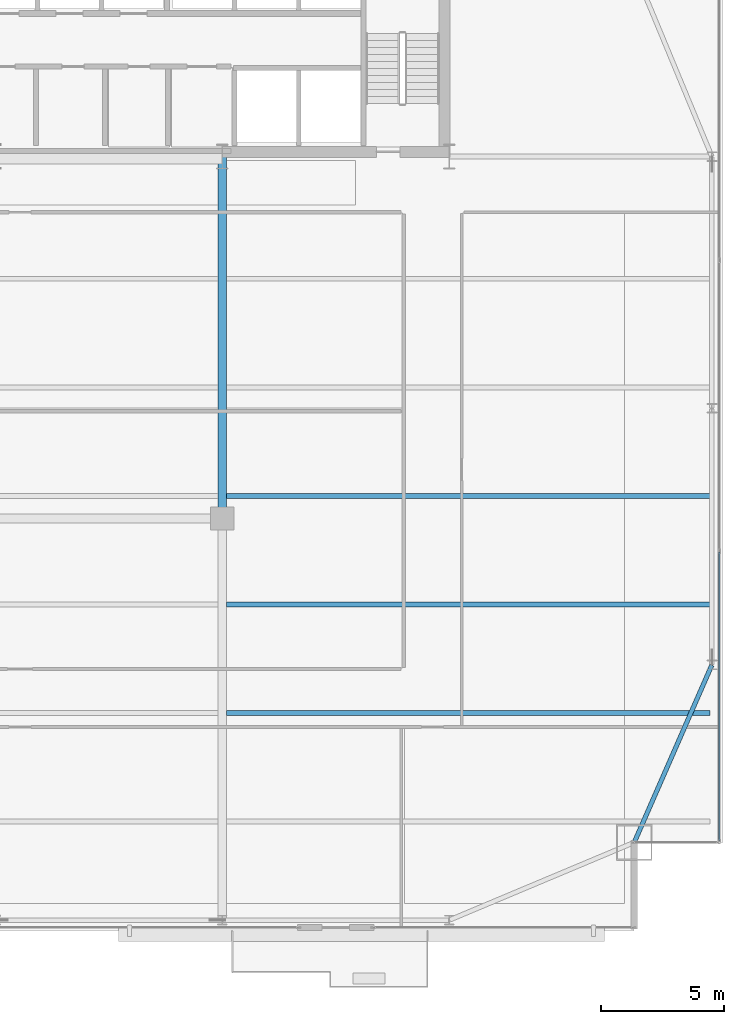
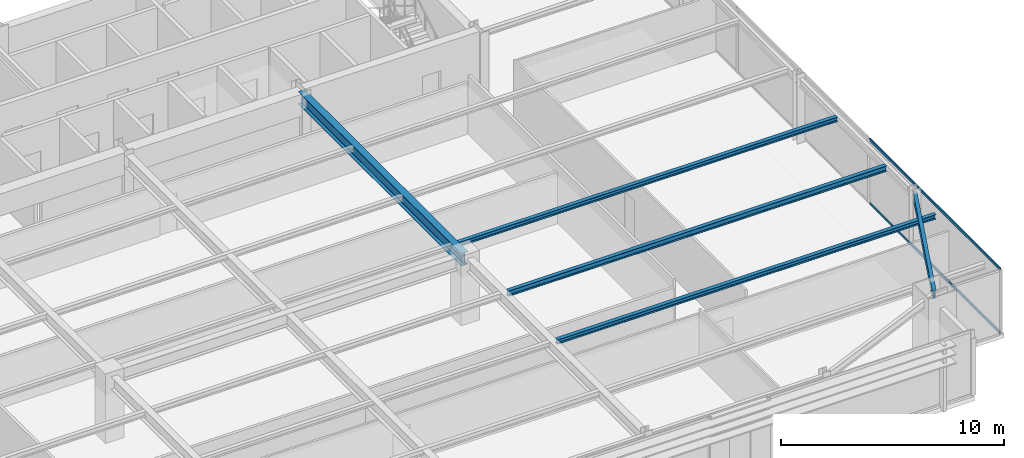
# One storey, part 17 of 36: 5 beams, 2 members, 1 element without a shape of its own.
"""IFC4 building model written with IfcOpenShell, lengths in metres."""

import ifcopenshell
import ifcopenshell.guid

model = None  # the IFC model being written
_history = None  # IfcOwnerHistory: only IFC2X3 demands one
_inside = {}  # id of a spatial element -> (the spatial element, [elements in it])
_under = {}  # id of a project, library or spatial element -> (it, [spatial elements below it])
_declared = {}  # id of a project -> (the project, [libraries it declares])
_typed = {}  # id of a type object -> (the type object, [elements of that type])
_made_of = {}  # id of a material, layer set ... -> (it, [elements and type objects made of it])


def new_model(schema):
    """Start an empty IFC model of exactly this schema.

    Asked for "IFC4X3", IfcOpenShell would pick the latest addendum, in which some entities
    have other attributes; the version numbers below select the first issue.
    IFC2X3 requires an IfcOwnerHistory on every rooted entity: one is made here for all.
    """
    global model, _history
    if schema == "IFC4X3":
        model = ifcopenshell.file(schema_version=(4, 3, 0, 0))
    else:
        model = ifcopenshell.file(schema=schema)
    _inside.clear()
    _under.clear()
    _declared.clear()
    _typed.clear()
    _made_of.clear()
    _history = None
    if model.schema == "IFC2X3":
        org = make("IfcOrganization", Name="unknown")
        user = make(
            "IfcPersonAndOrganization",
            ThePerson=make("IfcPerson", FamilyName="unknown"),
            TheOrganization=org,
        )
        app = make(
            "IfcApplication",
            ApplicationDeveloper=org,
            Version="unknown",
            ApplicationFullName="unknown",
            ApplicationIdentifier="unknown",
        )
        _history = make(
            "IfcOwnerHistory",
            OwningUser=user,
            OwningApplication=app,
            ChangeAction="ADDED",
            CreationDate=0,
        )
    return model


def make(cls, **values):
    """One entity of the class cls with the attributes given. An attribute that is None is left unset."""
    return model.create_entity(
        cls, **{name: value for name, value in values.items() if value is not None}
    )


def rooted(cls, **values):
    """An entity with a GlobalId (a new one), such as an element, a storey or a relation."""
    return make(cls, GlobalId=ifcopenshell.guid.new(), OwnerHistory=_history, **values)


def si_unit(unit_type, name, prefix=None):
    """IfcSIUnit, for example si_unit("LENGTHUNIT", "METRE", prefix="MILLI")."""
    return make("IfcSIUnit", UnitType=unit_type, Prefix=prefix, Name=name)


def assignment(units):
    """IfcUnitAssignment: the units of a project."""
    return None if units is None else make("IfcUnitAssignment", Units=units)


def point(xyz):
    """IfcCartesianPoint."""
    return None if xyz is None else make("IfcCartesianPoint", Coordinates=xyz)


def direction(xyz):
    """IfcDirection."""
    return None if xyz is None else make("IfcDirection", DirectionRatios=xyz)


def frame(location, z_axis=None, x_axis=None):
    """IfcAxis2Placement3D, a coordinate frame: its origin and axes. An axis left out is left unset."""
    return make(
        "IfcAxis2Placement3D",
        Location=point(location),
        Axis=direction(z_axis),
        RefDirection=direction(x_axis),
    )


def frame_2d(location, x_axis=None):
    """IfcAxis2Placement2D, a coordinate frame in the plane: its origin and x axis."""
    return make(
        "IfcAxis2Placement2D", Location=point(location), RefDirection=direction(x_axis)
    )


def origin():
    """The frame at (0, 0, 0) with its axes left unset."""
    return frame((0.0, 0.0, 0.0))


def origin_2d():
    """The frame at (0, 0) in the plane with its x axis left unset."""
    return frame_2d((0.0, 0.0))


def place(relative_to, where):
    """IfcLocalPlacement: puts the frame where relative to a parent placement (None: the world)."""
    return make(
        "IfcLocalPlacement", PlacementRelTo=relative_to, RelativePlacement=where
    )


def context(
    kind, dimensions, precision=None, world=None, true_north=None, identifier=None
):
    """IfcGeometricRepresentationContext, for example the 3D "Model" context."""
    return make(
        "IfcGeometricRepresentationContext",
        ContextIdentifier=identifier,
        ContextType=kind,
        CoordinateSpaceDimension=dimensions,
        Precision=precision,
        WorldCoordinateSystem=world,
        TrueNorth=true_north,
    )


def subcontext(parent, identifier, kind, view, scale=None):
    """IfcGeometricRepresentationSubContext, for example "Body" below "Model"."""
    return make(
        "IfcGeometricRepresentationSubContext",
        ContextIdentifier=identifier,
        ContextType=kind,
        ParentContext=parent,
        TargetScale=scale,
        TargetView=view,
    )


def project(units=None, contexts=None):
    """IfcProject with its units and contexts."""
    return rooted(
        "IfcProject",
        Name="project",
        RepresentationContexts=contexts,
        UnitsInContext=assignment(units),
    )


def spatial(cls, under=None, at=None, **own):
    """A site, building, storey or space (cls), placed at a placement, below another one or the project."""
    s = rooted(cls, ObjectPlacement=at, **own)
    if under is not None:
        _under.setdefault(under.id(), (under, []))[1].append(s)
    return s


def profile(cls, at=None, kind="AREA", **sizes):
    """A parametric profile (cls). Its sizes go by their IFC names, for example OverallWidth=200.0."""
    return make(cls, ProfileType=kind, Position=at, **sizes)


def hollow_rectangle(**sizes):
    """IfcRectangleHollowProfileDef."""
    return profile("IfcRectangleHollowProfileDef", **sizes)


def i_section(**sizes):
    """IfcIShapeProfileDef."""
    return profile("IfcIShapeProfileDef", **sizes)


def extrude(swept, where, along, depth):
    """IfcExtrudedAreaSolid: the profile swept, set in the frame where, extruded along a direction by depth."""
    return make(
        "IfcExtrudedAreaSolid",
        SweptArea=swept,
        Position=where,
        ExtrudedDirection=direction(along),
        Depth=depth,
    )


def shape(context_of_items, identifier, shape_type, items):
    """IfcShapeRepresentation: the items that make up one representation, for example the "Body"."""
    return make(
        "IfcShapeRepresentation",
        ContextOfItems=context_of_items,
        RepresentationIdentifier=identifier,
        RepresentationType=shape_type,
        Items=items,
    )


def source(mapping_origin, context_of_items, identifier, shape_type, items):
    """IfcRepresentationMap: a shape defined once, which mapped items show again and again."""
    return make(
        "IfcRepresentationMap",
        MappingOrigin=mapping_origin,
        MappedRepresentation=shape(context_of_items, identifier, shape_type, items),
    )


def transform(
    local_origin,
    x_axis=None,
    y_axis=None,
    z_axis=None,
    scale=None,
    scale2=None,
    scale3=None,
    uniform=True,
):
    """IfcCartesianTransformationOperator3D, or its non-uniform kind. x_axis, y_axis, z_axis: its Axis1, 2, 3."""
    if uniform:
        return make(
            "IfcCartesianTransformationOperator3D",
            Axis1=direction(x_axis),
            Axis2=direction(y_axis),
            LocalOrigin=point(local_origin),
            Scale=scale,
            Axis3=direction(z_axis),
        )
    return make(
        "IfcCartesianTransformationOperator3DnonUniform",
        Axis1=direction(x_axis),
        Axis2=direction(y_axis),
        LocalOrigin=point(local_origin),
        Scale=scale,
        Axis3=direction(z_axis),
        Scale2=scale2,
        Scale3=scale3,
    )


def mapped(mapping_source, mapping_target):
    """IfcMappedItem: shows the shape of a source again, moved by a transform."""
    return make(
        "IfcMappedItem", MappingSource=mapping_source, MappingTarget=mapping_target
    )


def material(Name=None, Category=None):
    """IfcMaterial."""
    return make("IfcMaterial", Name=Name, Category=Category)


def layer(
    of_material, thickness, ventilated=None, Name=None, Category=None, Priority=None
):
    """IfcMaterialLayer: one layer of a wall or slab, of a material (None: an air gap)."""
    return make(
        "IfcMaterialLayer",
        Material=of_material,
        LayerThickness=thickness,
        IsVentilated=ventilated,
        Name=Name,
        Category=Category,
        Priority=Priority,
    )


def layer_set(layers, Name=None):
    """IfcMaterialLayerSet."""
    return make("IfcMaterialLayerSet", MaterialLayers=layers, LayerSetName=Name)


def material_profile(
    of_material, cross_section, Name=None, Category=None, Priority=None
):
    """IfcMaterialProfile: a cross section and its material."""
    return make(
        "IfcMaterialProfile",
        Name=Name,
        Material=of_material,
        Profile=cross_section,
        Priority=Priority,
        Category=Category,
    )


def profile_set(profiles, Name=None, composite=None):
    """IfcMaterialProfileSet."""
    return make(
        "IfcMaterialProfileSet",
        Name=Name,
        MaterialProfiles=profiles,
        CompositeProfile=composite,
    )


def made_of(thing, what):
    """Note that an element or type object is made of a material, layer set ...; save() writes the relation."""
    if what is not None:
        _made_of.setdefault(what.id(), (what, []))[1].append(thing)
    return thing


def type_object(cls, material=None, **own):
    """A type object (cls), such as IfcWallType, which elements share."""
    return made_of(rooted(cls, **own), material)


def type_shapes(of_type, sources):
    """Give a type object the sources (RepresentationMaps) that its elements show as mapped items."""
    of_type.RepresentationMaps = sources


def element(
    cls,
    number,
    at=None,
    inside=None,
    cuts=None,
    type_object=None,
    material=None,
    context=None,
    identifier="Body",
    shape_type=None,
    held_by="IfcProductDefinitionShape",
    body=None,
    shapes=None,
    **own,
):
    """One element of the class cls, such as IfcWall. Its Tag is "e" and its number.

    at: its placement. inside: the storey or other place that contains it. cuts: it is an
    opening in that element (IfcRelVoidsElement). A single representation is given by context,
    identifier, shape_type and body (its items); several are given by shapes. held_by: the class
    of the entity that holds the representations. save() writes the other relations.
    """
    e = rooted(cls, Tag="e%d" % number, ObjectPlacement=at, **own)
    if body is not None:
        shapes = [shape(context, identifier, shape_type, body)]
    if shapes is not None:
        e.Representation = make(held_by, Representations=shapes)
    if inside is not None:
        _inside.setdefault(inside.id(), (inside, []))[1].append(e)
    if cuts is not None:
        rooted(
            "IfcRelVoidsElement", RelatingBuildingElement=cuts, RelatedOpeningElement=e
        )
    if type_object is not None:
        _typed.setdefault(type_object.id(), (type_object, []))[1].append(e)
    return made_of(e, material)


def aggregate(whole, parts):
    """IfcRelAggregates: a whole, such as a stair, and the parts it consists of."""
    return rooted("IfcRelAggregates", RelatingObject=whole, RelatedObjects=parts)


def save(model, path):
    """Write the relations noted so far, then the file.

    IfcRelAggregates (storeys below a building ...), IfcRelContainedInSpatialStructure (elements
    in a storey), IfcRelDefinesByType, IfcRelAssociatesMaterial and IfcRelDeclares: one each for
    every whole, place, type object, material and project.
    """
    for whole, parts in _under.values():
        aggregate(whole, parts)
    for where, things in _inside.values():
        rooted(
            "IfcRelContainedInSpatialStructure",
            RelatedElements=things,
            RelatingStructure=where,
        )
    for kind, things in _typed.values():
        rooted("IfcRelDefinesByType", RelatedObjects=things, RelatingType=kind)
    for what, things in _made_of.values():
        rooted("IfcRelAssociatesMaterial", RelatedObjects=things, RelatingMaterial=what)
    for by, libraries in _declared.values():
        rooted("IfcRelDeclares", RelatingContext=by, RelatedDefinitions=libraries)
    model.write(path)


model = new_model("IFC4")

# Units and contexts
model_context = context("Model", 3, precision=1e-05, world=origin(), true_north=direction((0.0, 1.0)))
body_context = subcontext(model_context, "Body", "Model", "MODEL_VIEW")
ifc_project = project(units=[si_unit("LENGTHUNIT", "METRE"), si_unit("AREAUNIT", "SQUARE_METRE"), si_unit("VOLUMEUNIT", "CUBIC_METRE"), si_unit("PLANEANGLEUNIT", "RADIAN"), si_unit("MASSUNIT", "GRAM", prefix="KILO")], contexts=[model_context])

# Site, building, storey
site_placement = place(None, origin())
site = spatial("IfcSite", under=ifc_project, at=site_placement, CompositionType="ELEMENT")
building_placement = place(site_placement, origin())
building = spatial("IfcBuilding", under=site, at=building_placement, Name="Varnel Quay Broadcast Tower", CompositionType="ELEMENT")
storey_placement = place(building_placement, frame((0.0, 0.0, 114.39990234375)))
storey = spatial("IfcBuildingStorey", under=building, at=storey_placement, Name="L27", CompositionType="ELEMENT", Elevation=114.39990234375)

# Beams
ifc_material_1 = material(Name="Structural Steel CSA G40.21 350W", Category="steel")
ifc_material_profile_1 = material_profile(ifc_material_1, i_section(OverallWidth=0.180908203125, OverallDepth=0.4169921875, WebThickness=0.010986328125, FlangeThickness=0.018310546875, FilletRadius=0.011962890625, at=origin_2d()), Name="W410X85")
ifc_profile_set_1 = profile_set([ifc_material_profile_1], Name="Structural Steel CSA G40.21 350W")
beam_type_1 = type_object("IfcBeamType", Name="Beam_W410X85", PredefinedType="SPANDREL", material=ifc_profile_set_1)
shared_shape_1 = source(origin(), body_context, "Body", "SweptSolid", [
    extrude(i_section(OverallWidth=0.180908203125, OverallDepth=0.4169921875, WebThickness=0.010986328125, FlangeThickness=0.018310546875, FilletRadius=0.011962890625, at=origin_2d()), origin(), (0.0, 0.0, 1.0), 7.81884765625),
])
type_shapes(beam_type_1, [shared_shape_1])
beam_1_placement = place(storey_placement, frame((59.907958984375, 7.818359375, 3.341552734375), z_axis=(0.400827023998, 0.916153751743, 0.0), x_axis=(-0.916153751743, 0.400827023998, 0.0)))
element("IfcBeam", 1, at=beam_1_placement, inside=storey, type_object=beam_type_1, Name="L27 East Spandrel MC-SE-TC-E1", PredefinedType="SPANDREL", context=body_context, shape_type="MappedRepresentation", body=[
    mapped(shared_shape_1, transform((0.0, 0.0, 0.0), x_axis=(1.0, 0.0, 0.0), y_axis=(0.0, 1.0, 0.0), z_axis=(0.0, 0.0, 1.0), scale=1.0)),
])
ifc_material_profile_2 = material_profile(ifc_material_1, i_section(OverallWidth=0.35498046875, OverallDepth=0.695068359375, WebThickness=0.015380859375, FlangeThickness=0.02490234375, FilletRadius=0.01806640625, at=origin_2d()), Name="W690X217")
ifc_profile_set_2 = profile_set([ifc_material_profile_2], Name="Structural Steel CSA G40.21 350W")
beam_type_2 = type_object("IfcBeamType", Name="Girder_W690X217", PredefinedType="BEAM", material=ifc_profile_set_2)
shared_shape_2 = source(origin(), body_context, "Body", "SweptSolid", [
    extrude(i_section(OverallWidth=0.35498046875, OverallDepth=0.695068359375, WebThickness=0.015380859375, FlangeThickness=0.02490234375, FilletRadius=0.01806640625, at=origin_2d()), origin(), (0.0, 0.0, 1.0), 14.630126953125),
])
type_shapes(beam_type_2, [shared_shape_2])
beam_2_placement = place(storey_placement, frame((43.199951171875, 20.949951171875, 3.20263671875), z_axis=(0.0, 1.0, 0.0), x_axis=(-1.0, 0.0, 0.0)))
element("IfcBeam", 2, at=beam_2_placement, inside=storey, type_object=beam_type_2, Name="L27 Primary Girder IC-02-CC-S4", PredefinedType="BEAM", context=body_context, shape_type="MappedRepresentation", body=[
    mapped(shared_shape_2, transform((0.0, 0.0, 0.0), x_axis=(1.0, 0.0, 0.0), y_axis=(0.0, 1.0, 0.0), z_axis=(0.0, 0.0, 1.0), scale=1.0)),
])
ifc_material_profile_3 = material_profile(ifc_material_1, i_section(OverallWidth=0.202880859375, OverallDepth=0.302978515625, WebThickness=0.007568359375, FlangeThickness=0.01318359375, FilletRadius=0.011962890625, at=origin_2d()), Name="W310X60")
ifc_profile_set_3 = profile_set([ifc_material_profile_3], Name="Structural Steel CSA G40.21 350W")
beam_type_3 = type_object("IfcBeamType", Name="Beam_W310X60", PredefinedType="JOIST", material=ifc_profile_set_3)
shared_shape_3 = source(origin(), body_context, "Body", "SweptSolid", [
    extrude(i_section(OverallWidth=0.202880859375, OverallDepth=0.302978515625, WebThickness=0.007568359375, FlangeThickness=0.01318359375, FilletRadius=0.011962890625, at=origin_2d()), origin(), (0.0, 0.0, 1.0), 19.592041015625),
])
type_shapes(beam_type_3, [shared_shape_3])
beam_3_placement = place(storey_placement, frame((43.37255859375, 17.449951171875, 3.398681640625), z_axis=(1.0, 0.0, 0.0), x_axis=(0.0, 1.0, 0.0)))
element("IfcBeam", 3, at=beam_3_placement, inside=storey, type_object=beam_type_3, Name="L27 East Floor Joist 3", PredefinedType="JOIST", context=body_context, shape_type="MappedRepresentation", body=[
    mapped(shared_shape_3, transform((0.0, 0.0, 0.0), x_axis=(1.0, 0.0, 0.0), y_axis=(0.0, 1.0, 0.0), z_axis=(0.0, 0.0, 1.0), scale=1.0)),
])
ifc_material_profile_4 = material_profile(ifc_material_1, i_section(OverallWidth=0.201904296875, OverallDepth=0.2470703125, WebThickness=0.00732421875, FlangeThickness=0.010986328125, FilletRadius=0.010986328125, at=origin_2d()), Name="W250X49")
ifc_profile_set_4 = profile_set([ifc_material_profile_4], Name="Structural Steel CSA G40.21 350W")
beam_type_4 = type_object("IfcBeamType", Name="Beam_W250X49", PredefinedType="JOIST", material=ifc_profile_set_4)
shared_shape_4 = source(origin(), body_context, "Body", "SweptSolid", [
    extrude(i_section(OverallWidth=0.201904296875, OverallDepth=0.2470703125, WebThickness=0.00732421875, FlangeThickness=0.010986328125, FilletRadius=0.010986328125, at=origin_2d()), origin(), (0.0, 0.0, 1.0), 19.592041015625),
])
type_shapes(beam_type_4, [shared_shape_4])
for number, where, z_axis, x_axis, name in (
    (4, (43.37255859375, 13.050048828125, 3.426513671875), (1.0, 0.0, 0.0), (0.0, 1.0, 0.0), "L27 East Floor Joist 2"),
    (5, (43.37255859375, 21.85009765625, 3.426513671875), (1.0, 0.0, 0.0), (0.0, 1.0, 0.0), "L27 East Floor Joist 4"),
):
    element("IfcBeam", number, at=place(storey_placement, frame(where, z_axis=z_axis, x_axis=x_axis)), inside=storey, type_object=beam_type_4, Name=name, PredefinedType="JOIST", context=body_context, shape_type="MappedRepresentation", body=[
        mapped(shared_shape_4, transform((0.0, 0.0, 0.0), x_axis=(1.0, 0.0, 0.0), y_axis=(0.0, 1.0, 0.0), z_axis=(0.0, 0.0, 1.0), scale=1.0)),
    ])

# Curtain wall, members
ifc_material_2 = material(Name="Anodised Bronze Aluminium 6063-T6", Category="aluminium")
ifc_layer = layer(ifc_material_2, 0.18994140625, Name="Anodised Bronze Aluminium 6063-T6")
ifc_layer_set = layer_set([ifc_layer], Name="Anodised Bronze Aluminium 6063-T6")
curtain_wall_type = type_object("IfcCurtainWallType", Name="CW_LowerTower", PredefinedType="NOTDEFINED", material=ifc_layer_set)
curtain_wall_placement = place(storey_placement, origin())
curtain_wall = element("IfcCurtainWall", 6, at=curtain_wall_placement, inside=storey, type_object=curtain_wall_type, Name="L27 East Unitised Curtain Wall", PredefinedType="NOTDEFINED")
ifc_material_profile_5 = material_profile(ifc_material_2, hollow_rectangle(XDim=0.06005859375, YDim=0.14501953125, WallThickness=0.00341796875, at=origin_2d()), Name="ALU60X145X3.5")
ifc_profile_set_5 = profile_set([ifc_material_profile_5], Name="Anodised Bronze Aluminium 6063-T6")
member_type = type_object("IfcMemberType", Name="Tran_CWS-02", PredefinedType="USERDEFINED", material=ifc_profile_set_5)
shared_shape_5 = source(origin(), body_context, "Body", "SweptSolid", [
    extrude(hollow_rectangle(XDim=0.06005859375, YDim=0.14501953125, WallThickness=0.00341796875, at=origin_2d()), origin(), (0.0, 0.0, 1.0), 11.69482421875),
])
type_shapes(member_type, [shared_shape_5])
member_1_placement = place(storey_placement, frame((63.35009765625, 7.8701171875, 0.030029296875), z_axis=(0.0, 1.0, 0.0), x_axis=(-1.0, 0.0, 0.0)))
member_1 = element("IfcMember", 7, at=member_1_placement, type_object=member_type, Name="CWS-02 transom 1.1", ObjectType="TRANSOM", PredefinedType="USERDEFINED", context=body_context, shape_type="MappedRepresentation", body=[
    mapped(shared_shape_5, transform((0.0, 0.0, 0.0), x_axis=(1.0, 0.0, 0.0), y_axis=(0.0, 1.0, 0.0), z_axis=(0.0, 0.0, 1.0), scale=1.0)),
])
member_2_placement = place(storey_placement, frame((63.35009765625, 7.8701171875, 3.52001953125), z_axis=(0.0, 1.0, 0.0), x_axis=(-1.0, 0.0, 0.0)))
member_2 = element("IfcMember", 8, at=member_2_placement, type_object=member_type, Name="CWS-02 transom 1.2", ObjectType="TRANSOM", PredefinedType="USERDEFINED", context=body_context, shape_type="MappedRepresentation", body=[
    mapped(shared_shape_5, transform((0.0, 0.0, 0.0), x_axis=(1.0, 0.0, 0.0), y_axis=(0.0, 1.0, 0.0), z_axis=(0.0, 0.0, 1.0), scale=1.0)),
])
aggregate(curtain_wall, [member_1, member_2])

save(model, "model.ifc")
